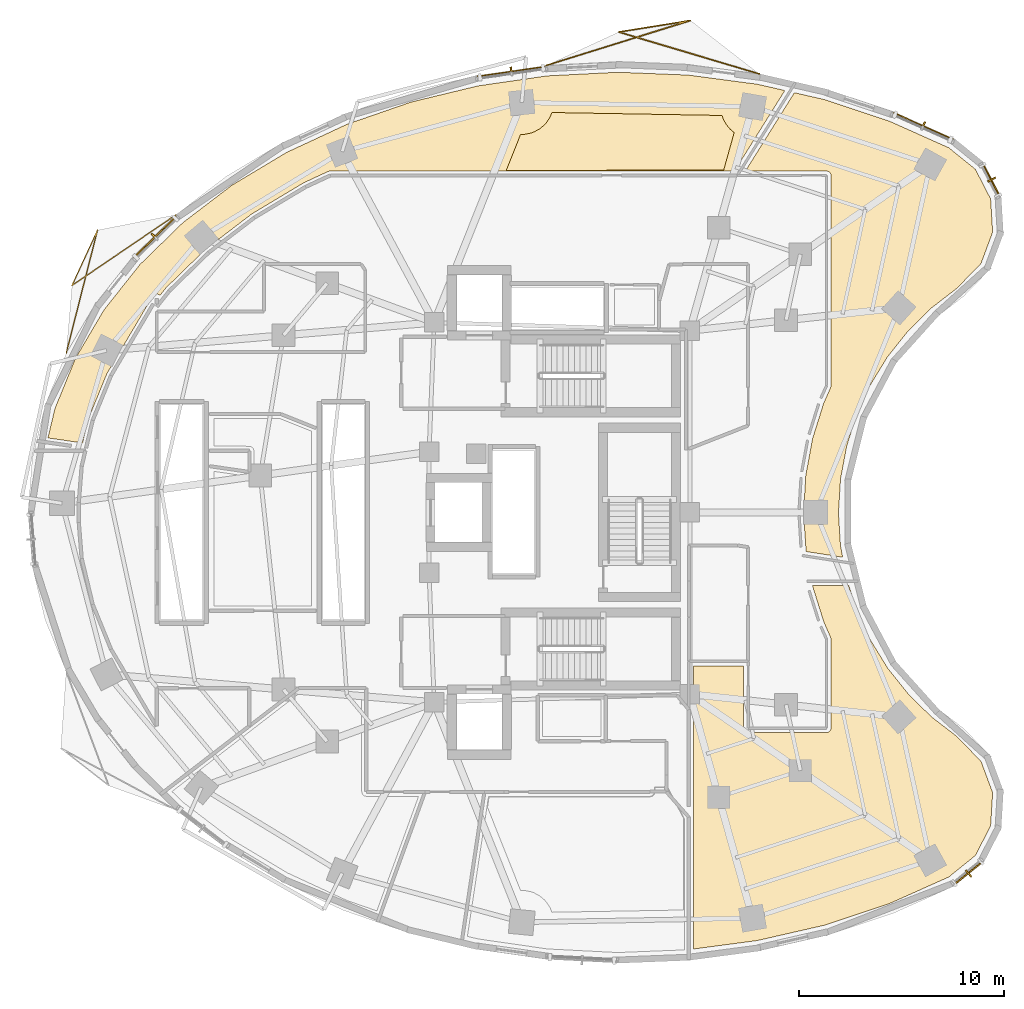
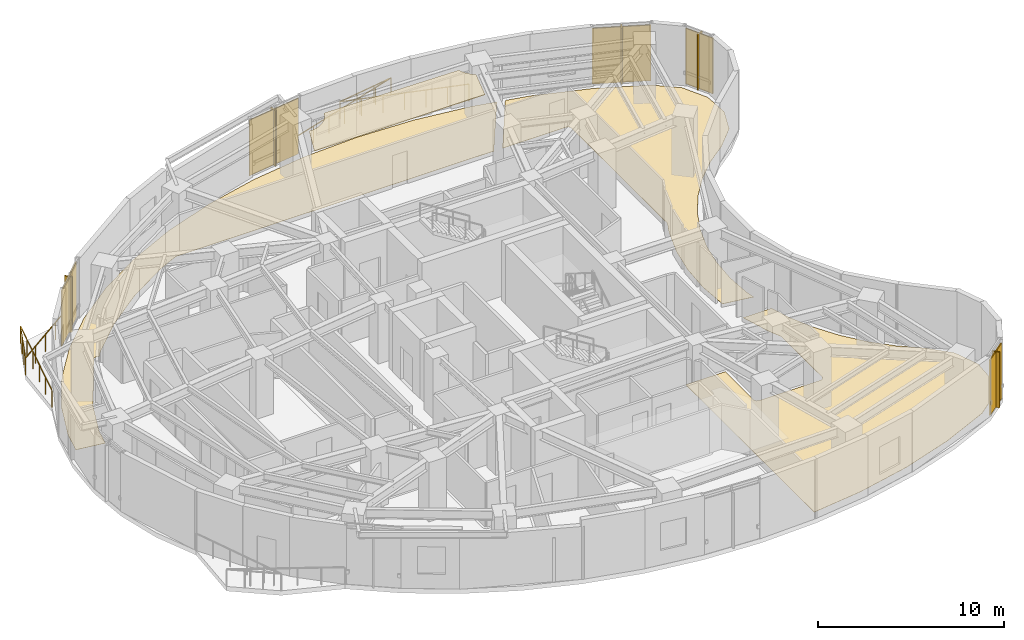
# One storey, part 15 of 15: 10 shading devices, 4 coverings, 2 railings.
"""IFC4 building model written with IfcOpenShell, lengths in metres."""

from ifc_helpers import new_model, si_unit, direction, frame, origin, origin_2d, place, context, subcontext, project, spatial, polyline, rectangle, outline, extrude, material, layer, layer_set, type_object, element, save


model = new_model("IFC4")

# Units and contexts
model_context = context("Model", 3, precision=1e-05, world=origin(), true_north=direction((0.0, 1.0)))
body_context = subcontext(model_context, "Body", "Model", "MODEL_VIEW")
ifc_project = project(units=[si_unit("LENGTHUNIT", "METRE"), si_unit("AREAUNIT", "SQUARE_METRE"), si_unit("VOLUMEUNIT", "CUBIC_METRE"), si_unit("PLANEANGLEUNIT", "RADIAN"), si_unit("MASSUNIT", "GRAM", prefix="KILO")], contexts=[model_context])

# Site, building, storey
site_placement = place(None, origin())
site = spatial("IfcSite", under=ifc_project, at=site_placement, CompositionType="ELEMENT")
building_placement = place(site_placement, origin())
building = spatial("IfcBuilding", under=site, at=building_placement, Name="Korentha Bioscience Tower", CompositionType="ELEMENT")
storey_placement = place(building_placement, frame((0.0, 0.0, 115.199951171875)))
storey = spatial("IfcBuildingStorey", under=building, at=storey_placement, Name="L26", CompositionType="ELEMENT", Elevation=115.199951171875)

# Railings
ifc_material_1 = material(Name="Laminated Tempered Safety Glass", Category="glass")
railing_type = type_object("IfcRailingType", Name="Laminated Glass Balcony Guardrail 1150", PredefinedType="BALUSTRADE", material=ifc_material_1)
railing_1_placement = place(storey_placement, frame((40.925537109375, 48.3564453125, 0.0)))
element("IfcRailing", 1, at=railing_1_placement, inside=storey, type_object=railing_type, Name="L26 Balcony Guardrail 01", PredefinedType="BALUSTRADE", context=body_context, shape_type="SweptSolid", body=[
    extrude(rectangle(XDim=0.048095703125, YDim=0.048095703125, at=origin_2d()), frame((0.0, 0.0, 1.1259765625), z_axis=(-0.958299428434, 0.285765997736, 0.0), x_axis=(-0.285765997736, -0.958299428434, 0.0)), (0.0, 0.0, 1.0), 7.137939453125),
    extrude(rectangle(XDim=0.048095703125, YDim=0.048095703125, at=origin_2d()), frame((-6.84033203125, 2.039794921875, 1.1259765625), z_axis=(0.987385992889, 0.158331617329, 0.0), x_axis=(-0.158331617329, 0.987385992889, 0.0)), (0.0, 0.0, 1.0), 3.544921875),
    extrude(rectangle(XDim=0.048095703125, YDim=0.048095703125, at=origin_2d()), frame((-3.340087890625, 2.60107421875, 1.1259765625), z_axis=(-0.954750497561, -0.297407947786, 0.0), x_axis=(0.297407947786, -0.954750497561, 0.0)), (0.0, 0.0, 1.0), 7.360107421875),
    extrude(rectangle(XDim=0.0419921875, YDim=0.0419921875, at=origin_2d()), origin(), (0.0, 0.0, 1.0), 1.101806640625),
    extrude(rectangle(XDim=0.0419921875, YDim=0.0419921875, at=origin_2d()), frame((-1.14013671875, 0.33984375, 0.0)), (0.0, 0.0, 1.0), 1.101806640625),
    extrude(rectangle(XDim=0.0419921875, YDim=0.0419921875, at=origin_2d()), frame((-2.280029296875, 0.679931640625, 0.0)), (0.0, 0.0, 1.0), 1.101806640625),
    extrude(rectangle(XDim=0.0419921875, YDim=0.0419921875, at=origin_2d()), frame((-3.420166015625, 1.02001953125, 0.0)), (0.0, 0.0, 1.0), 1.101806640625),
    extrude(rectangle(XDim=0.0419921875, YDim=0.0419921875, at=origin_2d()), frame((-4.560302734375, 1.35986328125, 0.0)), (0.0, 0.0, 1.0), 1.101806640625),
    extrude(rectangle(XDim=0.0419921875, YDim=0.0419921875, at=origin_2d()), frame((-5.7001953125, 1.69970703125, 0.0)), (0.0, 0.0, 1.0), 1.101806640625),
    extrude(rectangle(XDim=0.0419921875, YDim=0.0419921875, at=origin_2d()), frame((-6.84033203125, 2.039794921875, 0.0)), (0.0, 0.0, 1.0), 1.101806640625),
    extrude(rectangle(XDim=0.0419921875, YDim=0.0419921875, at=origin_2d()), frame((-5.673583984375, 2.226806640625, 0.0)), (0.0, 0.0, 1.0), 1.101806640625),
    extrude(rectangle(XDim=0.0419921875, YDim=0.0419921875, at=origin_2d()), frame((-4.5068359375, 2.4140625, 0.0)), (0.0, 0.0, 1.0), 1.101806640625),
    extrude(rectangle(XDim=0.0419921875, YDim=0.0419921875, at=origin_2d()), frame((-3.340087890625, 2.60107421875, 0.0)), (0.0, 0.0, 1.0), 1.101806640625),
    extrude(rectangle(XDim=0.0419921875, YDim=0.0419921875, at=origin_2d()), frame((-4.51123046875, 2.236328125, 0.0)), (0.0, 0.0, 1.0), 1.101806640625),
    extrude(rectangle(XDim=0.0419921875, YDim=0.0419921875, at=origin_2d()), frame((-5.682373046875, 1.871337890625, 0.0)), (0.0, 0.0, 1.0), 1.101806640625),
    extrude(rectangle(XDim=0.0419921875, YDim=0.0419921875, at=origin_2d()), frame((-6.853515625, 1.506591796875, 0.0)), (0.0, 0.0, 1.0), 1.101806640625),
    extrude(rectangle(XDim=0.0419921875, YDim=0.0419921875, at=origin_2d()), frame((-8.02490234375, 1.141845703125, 0.0)), (0.0, 0.0, 1.0), 1.101806640625),
    extrude(rectangle(XDim=0.0419921875, YDim=0.0419921875, at=origin_2d()), frame((-9.196044921875, 0.77685546875, 0.0)), (0.0, 0.0, 1.0), 1.101806640625),
    extrude(rectangle(XDim=0.0419921875, YDim=0.0419921875, at=origin_2d()), frame((-10.3671875, 0.412109375, 0.0)), (0.0, 0.0, 1.0), 1.101806640625),
])
railing_2_placement = place(storey_placement, frame((12.52294921875, 41.495361328125, 0.0)))
element("IfcRailing", 2, at=railing_2_placement, inside=storey, type_object=railing_type, Name="L26 Balcony Guardrail 02", PredefinedType="BALUSTRADE", context=body_context, shape_type="SweptSolid", body=[
    extrude(rectangle(XDim=0.048095703125, YDim=0.048095703125, at=origin_2d()), frame((0.0, 0.0, 1.1259765625), z_axis=(-0.827016241703, -0.562178028705, 0.0), x_axis=(0.562178028705, -0.827016241703, 0.0)), (0.0, 0.0, 1.0), 6.1220703125),
    extrude(rectangle(XDim=0.048095703125, YDim=0.048095703125, at=origin_2d()), frame((-5.06298828125, -3.441650390625, 1.1259765625), z_axis=(0.418625157172, 0.908159114793, 0.0), x_axis=(-0.908159114793, 0.418625157172, 0.0)), (0.0, 0.0, 1.0), 2.9677734375),
    extrude(rectangle(XDim=0.048095703125, YDim=0.048095703125, at=origin_2d()), frame((-3.820556640625, -0.746337890625, 1.1259765625), z_axis=(-0.24639187643, -0.969170285981, 0.0), x_axis=(0.969170285981, -0.24639187643, 0.0)), (0.0, 0.0, 1.0), 6.19384765625),
    extrude(rectangle(XDim=0.0419921875, YDim=0.0419921875, at=origin_2d()), origin(), (0.0, 0.0, 1.0), 1.101806640625),
    extrude(rectangle(XDim=0.0419921875, YDim=0.0419921875, at=origin_2d()), frame((-1.0126953125, -0.688232421875, 0.0)), (0.0, 0.0, 1.0), 1.101806640625),
    extrude(rectangle(XDim=0.0419921875, YDim=0.0419921875, at=origin_2d()), frame((-2.025146484375, -1.376708984375, 0.0)), (0.0, 0.0, 1.0), 1.101806640625),
    extrude(rectangle(XDim=0.0419921875, YDim=0.0419921875, at=origin_2d()), frame((-3.037841796875, -2.06494140625, 0.0)), (0.0, 0.0, 1.0), 1.101806640625),
    extrude(rectangle(XDim=0.0419921875, YDim=0.0419921875, at=origin_2d()), frame((-4.05029296875, -2.75341796875, 0.0)), (0.0, 0.0, 1.0), 1.101806640625),
    extrude(rectangle(XDim=0.0419921875, YDim=0.0419921875, at=origin_2d()), frame((-5.06298828125, -3.441650390625, 0.0)), (0.0, 0.0, 1.0), 1.101806640625),
    extrude(rectangle(XDim=0.0419921875, YDim=0.0419921875, at=origin_2d()), frame((-4.64892578125, -2.543212890625, 0.0)), (0.0, 0.0, 1.0), 1.101806640625),
    extrude(rectangle(XDim=0.0419921875, YDim=0.0419921875, at=origin_2d()), frame((-4.234619140625, -1.644775390625, 0.0)), (0.0, 0.0, 1.0), 1.101806640625),
    extrude(rectangle(XDim=0.0419921875, YDim=0.0419921875, at=origin_2d()), frame((-3.820556640625, -0.746337890625, 0.0)), (0.0, 0.0, 1.0), 1.101806640625),
    extrude(rectangle(XDim=0.0419921875, YDim=0.0419921875, at=origin_2d()), frame((-4.125732421875, -1.947021484375, 0.0)), (0.0, 0.0, 1.0), 1.101806640625),
    extrude(rectangle(XDim=0.0419921875, YDim=0.0419921875, at=origin_2d()), frame((-4.430908203125, -3.1474609375, 0.0)), (0.0, 0.0, 1.0), 1.101806640625),
    extrude(rectangle(XDim=0.0419921875, YDim=0.0419921875, at=origin_2d()), frame((-4.736328125, -4.34814453125, 0.0)), (0.0, 0.0, 1.0), 1.101806640625),
    extrude(rectangle(XDim=0.0419921875, YDim=0.0419921875, at=origin_2d()), frame((-5.04150390625, -5.548583984375, 0.0)), (0.0, 0.0, 1.0), 1.101806640625),
    extrude(rectangle(XDim=0.0419921875, YDim=0.0419921875, at=origin_2d()), frame((-5.3466796875, -6.749267578125, 0.0)), (0.0, 0.0, 1.0), 1.101806640625),
])

# Covering
ifc_material_2 = material(Name="Antimicrobial Mineral Fibre Board", Category="gypsum")
ifc_layer_1 = layer(ifc_material_2, 0.034912109375, Name="Antimicrobial Mineral Fibre Board")
ifc_layer_set_1 = layer_set([ifc_layer_1], Name="Antimicrobial Mineral Fibre Board (CL-MF35)")
covering_type_1 = type_object("IfcCoveringType", Name="Mineral-Fibre Cleanroom Suspended Ceiling 35", PredefinedType="CEILING", material=ifc_layer_set_1)
covering_1_placement = place(storey_placement, frame((0.0, 0.0, 3.864990234375)))
element("IfcCovering", 3, at=covering_1_placement, inside=storey, type_object=covering_type_1, Name="L26 Cryogenic Dewar Supply Store 11 Acoustic Ceiling", PredefinedType="CEILING", context=body_context, shape_type="SweptSolid", body=[
    extrude(outline(polyline([(29.307861328125, 45.412109375), (29.51611328125, 45.416748046875), (29.814208984375, 45.47607421875), (29.95751953125, 45.52734375), (30.225341796875, 45.67041015625), (30.460205078125, 45.86328125), (30.5625, 45.97607421875), (30.731201171875, 46.228515625), (30.835205078125, 46.474853515625), (39.11669921875, 46.33154296875), (39.172119140625, 46.171630859375), (39.3154296875, 45.90380859375), (39.50830078125, 45.668701171875), (39.71044921875, 45.500244140625), (39.197021484375, 43.6650390625), (28.611083984375, 43.662353515625), (29.307861328125, 45.412109375)])), origin(), (0.0, 0.0, 1.0), 0.03515625),
])

# Shading devices
ifc_material_3 = material(Name="Perforated Stone-Ceramic Composite", Category="masonry")
ifc_layer_2 = layer(ifc_material_3, 0.06494140625, Name="Perforated Stone-Ceramic Composite")
ifc_layer_set_2 = layer_set([ifc_layer_2], Name="Perforated Stone-Ceramic Composite (CS-01)")
shading_device_type_1 = type_object("IfcShadingDeviceType", Name="Perforated Stone-Ceramic Solar Screen Panel 65", PredefinedType="USERDEFINED", material=ifc_layer_set_2)
shading_device_1_placement = place(storey_placement, frame((48.912109375, 45.811279296875, 0.0), z_axis=(0.0, 0.0, 1.0), x_axis=(-0.912686563127, 0.408660295952, 0.0)))
element("IfcShadingDevice", 4, at=shading_device_1_placement, inside=storey, type_object=shading_device_type_1, Name="CW-L26-01 Perforated Stone-Ceramic Solar Screen", ObjectType="SCREEN", PredefinedType="USERDEFINED", context=body_context, shape_type="SweptSolid", body=[
    extrude(rectangle(XDim=3.1806640625, YDim=0.06494140625, at=origin_2d()), origin(), (0.0, 0.0, 1.0), 3.64990234375),
])
shading_device_2_placement = place(storey_placement, frame((28.85888671875, 48.46240234375, 0.0), z_axis=(0.0, 0.0, 1.0), x_axis=(-0.989738282326, -0.14289203091, 0.0)))
element("IfcShadingDevice", 5, at=shading_device_2_placement, inside=storey, type_object=shading_device_type_1, Name="CW-L26-07 Perforated Stone-Ceramic Solar Screen", ObjectType="SCREEN", PredefinedType="USERDEFINED", context=body_context, shape_type="SweptSolid", body=[
    extrude(rectangle(XDim=3.351318359375, YDim=0.06494140625, at=origin_2d()), origin(), (0.0, 0.0, 1.0), 3.64990234375),
])
shading_device_3_placement = place(storey_placement, frame((11.497314453125, 40.41162109375, 0.0), z_axis=(0.0, 0.0, 1.0), x_axis=(-0.716095631804, -0.698002182025, 0.0)))
element("IfcShadingDevice", 6, at=shading_device_3_placement, inside=storey, type_object=shading_device_type_1, Name="CW-L26-13 Perforated Stone-Ceramic Solar Screen", ObjectType="SCREEN", PredefinedType="USERDEFINED", context=body_context, shape_type="SweptSolid", body=[
    extrude(rectangle(XDim=2.8818359375, YDim=0.06494140625, at=origin_2d()), origin(), (0.0, 0.0, 1.0), 3.64990234375),
])
for number, where, z_axis, x_axis, name in (
    (7, (51.1103515625, 9.428955078125, 0.0), (0.0, 0.0, 1.0), (0.777315301098, 0.629111216463, 0.0), "CW-L26-37 Perforated Stone-Ceramic Solar Screen"),
    (8, (52.2294921875, 43.1953125, 0.0), (0.0, 0.0, 1.0), (-0.457613117169, 0.889151412862, 0.0), "CW-L26-61 Perforated Stone-Ceramic Solar Screen"),
):
    element("IfcShadingDevice", number, at=place(storey_placement, frame(where, z_axis=z_axis, x_axis=x_axis)), inside=storey, type_object=shading_device_type_1, Name=name, ObjectType="SCREEN", PredefinedType="USERDEFINED", context=body_context, shape_type="SweptSolid", body=[
        extrude(rectangle(XDim=1.737548828125, YDim=0.06494140625, at=origin_2d()), origin(), (0.0, 0.0, 1.0), 3.64990234375),
    ])

# Coverings
ifc_material_4 = material(Name="Chemical-Resistant Epoxy Resin", Category="polymer")
ifc_layer_3 = layer(ifc_material_4, 0.011962890625, Name="Chemical-Resistant Epoxy Resin")
ifc_layer_set_3 = layer_set([ifc_layer_3], Name="Chemical-Resistant Epoxy Resin (FL-EPX)")
covering_type_2 = type_object("IfcCoveringType", Name="Seamless Epoxy Laboratory Flooring 12", PredefinedType="FLOORING", material=ifc_layer_set_3)
covering_2_placement = place(storey_placement, origin())
element("IfcCovering", 9, at=covering_2_placement, inside=storey, type_object=covering_type_2, Name="L26 Translational Medicine Team Office 07 Floor Finish", PredefinedType="FLOORING", context=body_context, shape_type="SweptSolid", body=[
    extrude(outline(polyline([(40.169921875, 19.528076171875), (40.17041015625, 16.4892578125), (40.1923828125, 16.401123046875), (40.2626953125, 16.315673828125), (40.39990234375, 16.27001953125), (44.199951171875, 16.27001953125), (44.33740234375, 16.315673828125), (44.40771484375, 16.401123046875), (44.429931640625, 16.5), (44.427001953125, 20.861083984375), (44.07373046875, 21.669921875), (43.5234375, 23.427978515625), (45.2978515625, 23.427978515625), (45.6728515625, 22.248046875), (46.322021484375, 20.822998046875), (47.191650390625, 19.403076171875), (48.20166015625, 18.138916015625), (49.31884765625, 17.041748046875), (50.55615234375, 16.089111328125), (51.734375, 14.87353515625), (52.298095703125, 13.351806640625), (52.23193359375, 12.253173828125), (52.200439453125, 11.73193359375), (51.4580078125, 10.289306640625), (50.164794921875, 9.24267578125), (47.254638671875, 7.939453125), (44.1171875, 6.896484375), (40.835205078125, 6.14599609375), (37.72802734375, 5.7353515625), (37.721923828125, 19.52783203125), (40.169921875, 19.528076171875)])), origin(), (0.0, 0.0, 1.0), 0.011962890625),
])
covering_3_placement = place(storey_placement, origin())
element("IfcCovering", 10, at=covering_3_placement, inside=storey, type_object=covering_type_2, Name="L26 Clinical Advisory Boardroom 09 Floor Finish", PredefinedType="FLOORING", context=body_context, shape_type="SweptSolid", body=[
    extrude(outline(polyline([(44.1171875, 47.103515625), (47.25439453125, 46.060546875), (50.164794921875, 44.757568359375), (51.4580078125, 43.7109375), (52.200439453125, 42.26806640625), (52.29833984375, 40.6484375), (51.734619140625, 39.126708984375), (50.556396484375, 37.911376953125), (49.31884765625, 36.958251953125), (48.193359375, 35.852294921875), (47.16748046875, 34.562744140625), (46.3203125, 33.173828125), (45.67236328125, 31.75048828125), (45.18896484375, 30.22607421875), (44.89013671875, 28.63427734375), (44.78857421875, 26.9755859375), (44.88427734375, 25.414306640625), (44.991943359375, 24.815673828125), (43.212890625, 25.09423828125), (43.08837890625, 26.98583984375), (43.197998046875, 28.802978515625), (43.528076171875, 30.59326171875), (44.07373046875, 32.330078125), (44.4091796875, 33.07958984375), (44.4296875, 33.162109375), (44.423095703125, 43.456298828125), (44.385009765625, 43.53662109375), (44.33740234375, 43.58447265625), (44.210693359375, 43.629638671875), (40.260986328125, 43.6298828125), (42.64208984375, 47.440673828125), (44.1171875, 47.103515625)])), origin(), (0.0, 0.0, 1.0), 0.011962890625),
])
covering_4_placement = place(storey_placement, origin())
element("IfcCovering", 11, at=covering_4_placement, inside=storey, type_object=covering_type_2, Name="L26 Cryogenic Dewar Supply Store 11 Floor Finish", PredefinedType="FLOORING", context=body_context, shape_type="SweptSolid", body=[
    extrude(outline(polyline([(6.63330078125, 32.070068359375), (7.63427734375, 34.5185546875), (9.01806640625, 36.86376953125), (10.766845703125, 39.0712890625), (12.85693359375, 41.108642578125), (15.259033203125, 42.944580078125), (17.890869140625, 44.52294921875), (20.857421875, 45.905517578125), (23.972900390625, 46.98486328125), (27.23876953125, 47.77392578125), (30.60791015625, 48.260498046875), (34.0302734375, 48.436767578125), (37.456298828125, 48.300537109375), (40.8349609375, 47.85400390625), (42.177978515625, 47.546875), (39.733642578125, 43.63525390625), (20.04248046875, 43.6298828125), (19.94580078125, 43.608642578125), (18.735595703125, 43.047119140625), (16.21533203125, 41.535400390625), (13.97021484375, 39.8193359375), (12.042236328125, 37.940673828125), (11.744873046875, 37.568115234375), (11.662109375, 37.622802734375), (11.5751953125, 37.637939453125), (11.48876953125, 37.619140625), (11.415283203125, 37.568603515625), (9.161376953125, 33.760498046875), (8.259521484375, 31.554443359375), (7.9755859375, 30.380126953125), (6.286376953125, 30.626708984375), (6.63330078125, 32.070068359375)])), origin(), (0.0, 0.0, 1.0), 0.011962890625),
])

# Shading devices
ifc_material_5 = material(Name="Honed Travertine Limestone", Category="masonry")
ifc_layer_4 = layer(ifc_material_5, 0.080078125, Name="Honed Travertine Limestone")
ifc_layer_set_4 = layer_set([ifc_layer_4], Name="Honed Travertine Limestone (CS-02)")
shading_device_type_2 = type_object("IfcShadingDeviceType", Name="Vertical Honed Limestone Sunshade Fin 80x420", PredefinedType="USERDEFINED", material=ifc_layer_set_4)
for number, where, z_axis, x_axis, name in (
    (12, (48.92041015625, 45.82958984375, 0.0), (0.0, 0.0, 1.0), (-0.912686563127, 0.408660295952, 0.0), "CW-L26-01 Limestone Sunshade Fin"),
    (13, (28.856201171875, 48.482421875, 0.0), (0.0, 0.0, 1.0), (-0.989738282326, -0.14289203091, 0.0), "CW-L26-07 Limestone Sunshade Fin"),
    (14, (11.483154296875, 40.42578125, 0.0), (0.0, 0.0, 1.0), (-0.716095631804, -0.698002182025, 0.0), "CW-L26-13 Limestone Sunshade Fin"),
    (15, (51.122802734375, 9.413330078125, 0.0), (0.0, 0.0, 1.0), (0.777315301098, 0.629111216463, 0.0), "CW-L26-37 Limestone Sunshade Fin"),
    (16, (52.2470703125, 43.20458984375, 0.0), (0.0, 0.0, 1.0), (-0.457613117169, 0.889151412862, 0.0), "CW-L26-61 Limestone Sunshade Fin"),
):
    element("IfcShadingDevice", number, at=place(storey_placement, frame(where, z_axis=z_axis, x_axis=x_axis)), inside=storey, type_object=shading_device_type_2, Name=name, ObjectType="SCREEN", PredefinedType="USERDEFINED", context=body_context, shape_type="SweptSolid", body=[
        extrude(rectangle(XDim=0.080078125, YDim=0.419921875, at=origin_2d()), origin(), (0.0, 0.0, 1.0), 3.64990234375),
    ])

save(model, "model.ifc")
